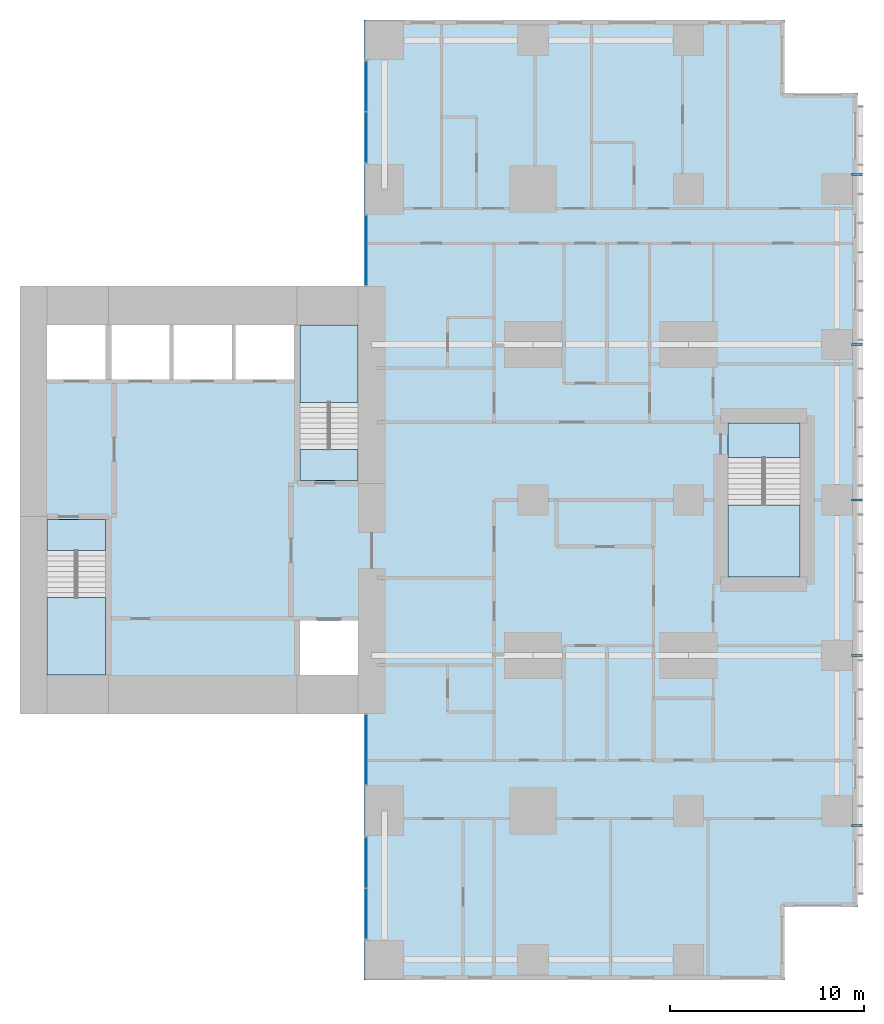
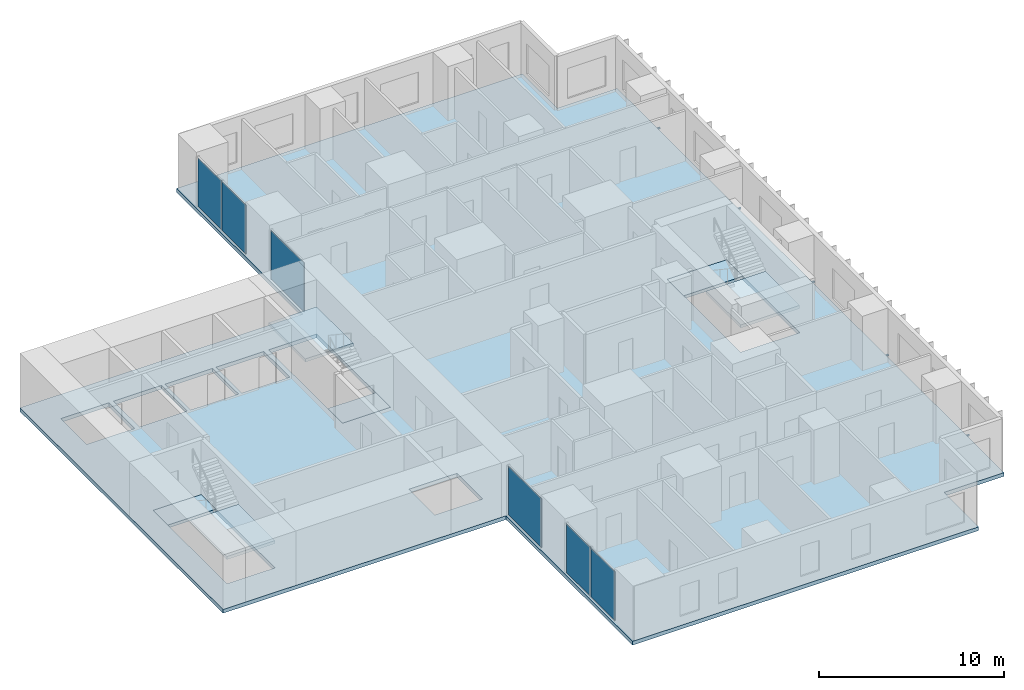
# One storey, part 4 of 12: 7 slabs, 6 plates, 5 members, 7 elements without a shape of their own.
"""IFC4 building model written with IfcOpenShell, lengths in metres."""

from ifc_helpers import new_model, si_unit, direction, frame, origin, origin_2d, place, context, subcontext, project, spatial, polyline, rectangle, hollow_rectangle, outline, extrude, material, layer, layer_set, material_profile, profile_set, type_object, element, aggregate, save


model = new_model("IFC4")

# Units and contexts
model_context = context("Model", 3, precision=1e-05, world=origin(), true_north=direction((0.0, 1.0)))
body_context = subcontext(model_context, "Body", "Model", "MODEL_VIEW")
ifc_project = project(units=[si_unit("LENGTHUNIT", "METRE"), si_unit("AREAUNIT", "SQUARE_METRE"), si_unit("VOLUMEUNIT", "CUBIC_METRE"), si_unit("PLANEANGLEUNIT", "RADIAN"), si_unit("MASSUNIT", "GRAM", prefix="KILO")], contexts=[model_context])

# Site, building, storey
site_placement = place(None, origin())
site = spatial("IfcSite", under=ifc_project, at=site_placement, CompositionType="ELEMENT")
building_placement = place(site_placement, origin())
building = spatial("IfcBuilding", under=site, at=building_placement, Name="Cleftline Residences", CompositionType="ELEMENT")
storey_placement = place(building_placement, frame((0.0, 0.0, 266.39990234375)))
storey = spatial("IfcBuildingStorey", under=building, at=storey_placement, Name="L70", CompositionType="ELEMENT", Elevation=266.39990234375)

# Members
ifc_material_1 = material(Name="Steel S355, hot-dip galvanised", Category="steel")
ifc_material_profile = material_profile(ifc_material_1, hollow_rectangle(XDim=0.10009765625, YDim=0.10009765625, WallThickness=0.008056640625, InnerFilletRadius=0.008056640625, OuterFilletRadius=0.011962890625, at=origin_2d()))
ifc_profile_set = profile_set([ifc_material_profile], Name="Steel S355, hot-dip galvanised")
member_type = type_object("IfcMemberType", Name="BAGUETTE BRACKET SHS 100X100X8", PredefinedType="USERDEFINED", material=ifc_profile_set)
for number, where, z_axis, x_axis, name in (
    (1, (66.39990234375, 7.25, -0.14990234375), (1.0, 0.0, 0.0), (0.0, 1.0, 0.0), "Baguette bracket"),
    (2, (66.39990234375, 16.0, -0.14990234375), (1.0, 0.0, 0.0), (0.0, 1.0, 0.0), "Baguette bracket"),
    (3, (66.39990234375, 24.0, -0.14990234375), (1.0, 0.0, 0.0), (0.0, 1.0, 0.0), "Baguette bracket"),
    (4, (66.39990234375, 32.0, -0.14990234375), (1.0, 0.0, 0.0), (0.0, 1.0, 0.0), "Baguette bracket"),
    (5, (66.39990234375, 40.75, -0.14990234375), (1.0, 0.0, 0.0), (0.0, 1.0, 0.0), "Baguette bracket"),
):
    element("IfcMember", number, at=place(storey_placement, frame(where, z_axis=z_axis, x_axis=x_axis)), inside=storey, type_object=member_type, Name=name, ObjectType="BAGUETTE BRACKET", PredefinedType="USERDEFINED", context=body_context, shape_type="SweptSolid", body=[
        extrude(hollow_rectangle(XDim=0.10009765625, YDim=0.10009765625, WallThickness=0.008056640625, InnerFilletRadius=0.008056640625, OuterFilletRadius=0.011962890625, at=origin_2d()), origin(), (0.0, 0.0, 1.0), 0.550048828125),
    ])

# Curtain wall, plate
ifc_material_2 = material(Name="Aluminium framed curtain wall", Category="aluminium")
ifc_layer_1 = layer(ifc_material_2, 0.199951171875)
ifc_layer_set_1 = layer_set([ifc_layer_1], Name="CW1 CLEFT GLAZING")
curtain_wall_type = type_object("IfcCurtainWallType", Name="CW1 CLEFT GLAZING", PredefinedType="NOTDEFINED", material=ifc_layer_set_1)
curtain_wall_1_placement = place(storey_placement, origin())
curtain_wall_1 = element("IfcCurtainWall", 6, at=curtain_wall_1_placement, inside=storey, type_object=curtain_wall_type, Name="Curtain wall CW1", PredefinedType="NOTDEFINED")
ifc_material_3 = material(Name="Laminated clear glass", Category="glass")
ifc_layer_2 = layer(ifc_material_3, 0.028076171875)
ifc_layer_set_2 = layer_set([ifc_layer_2], Name="CW1 GLASS PANEL")
plate_type = type_object("IfcPlateType", Name="CW1 GLASS PANEL", PredefinedType="CURTAIN_PANEL", material=ifc_layer_set_2)
plate_1_placement = place(storey_placement, frame((41.425048828125, 11.14990234375, 0.06005859375), z_axis=(0.0, 0.0, 1.0), x_axis=(0.0, -1.0, 0.0)))
plate_1 = element("IfcPlate", 7, at=plate_1_placement, type_object=plate_type, Name="CW1 panel 1.1", PredefinedType="CURTAIN_PANEL", context=body_context, shape_type="SweptSolid", body=[
    extrude(rectangle(XDim=3.580078125, YDim=0.028076171875, at=origin_2d()), origin(), (0.0, 0.0, 1.0), 3.22998046875),
])
aggregate(curtain_wall_1, [plate_1])

# Curtain wall, plates
curtain_wall_2_placement = place(storey_placement, origin())
curtain_wall_2 = element("IfcCurtainWall", 8, at=curtain_wall_2_placement, inside=storey, type_object=curtain_wall_type, Name="Curtain wall CW1", PredefinedType="NOTDEFINED")
plate_2_placement = place(storey_placement, frame((41.425048828125, 5.347412109375, 0.06005859375), z_axis=(0.0, 0.0, 1.0), x_axis=(0.0, -1.0, 0.0)))
plate_2 = element("IfcPlate", 9, at=plate_2_placement, type_object=plate_type, Name="CW1 panel 1.1", PredefinedType="CURTAIN_PANEL", context=body_context, shape_type="SweptSolid", body=[
    extrude(rectangle(XDim=2.5849609375, YDim=0.028076171875, at=origin_2d()), origin(), (0.0, 0.0, 1.0), 3.22998046875),
])
plate_3_placement = place(storey_placement, frame((41.425048828125, 2.702392578125, 0.06005859375), z_axis=(0.0, 0.0, 1.0), x_axis=(0.0, -1.0, 0.0)))
plate_3 = element("IfcPlate", 10, at=plate_3_placement, type_object=plate_type, Name="CW1 panel 2.1", PredefinedType="CURTAIN_PANEL", context=body_context, shape_type="SweptSolid", body=[
    extrude(rectangle(XDim=2.5849609375, YDim=0.028076171875, at=origin_2d()), origin(), (0.0, 0.0, 1.0), 3.22998046875),
])
aggregate(curtain_wall_2, [plate_2, plate_3])

curtain_wall_3_placement = place(storey_placement, origin())
curtain_wall_3 = element("IfcCurtainWall", 11, at=curtain_wall_3_placement, inside=storey, type_object=curtain_wall_type, Name="Curtain wall CW1", PredefinedType="NOTDEFINED")
plate_4_placement = place(storey_placement, frame((41.425048828125, 45.297607421875, 0.06005859375), z_axis=(0.0, 0.0, 1.0), x_axis=(0.0, -1.0, 0.0)))
plate_4 = element("IfcPlate", 12, at=plate_4_placement, type_object=plate_type, Name="CW1 panel 1.1", PredefinedType="CURTAIN_PANEL", context=body_context, shape_type="SweptSolid", body=[
    extrude(rectangle(XDim=2.5849609375, YDim=0.028076171875, at=origin_2d()), origin(), (0.0, 0.0, 1.0), 3.22998046875),
])
plate_5_placement = place(storey_placement, frame((41.425048828125, 42.652587890625, 0.06005859375), z_axis=(0.0, 0.0, 1.0), x_axis=(0.0, -1.0, 0.0)))
plate_5 = element("IfcPlate", 13, at=plate_5_placement, type_object=plate_type, Name="CW1 panel 2.1", PredefinedType="CURTAIN_PANEL", context=body_context, shape_type="SweptSolid", body=[
    extrude(rectangle(XDim=2.5849609375, YDim=0.028076171875, at=origin_2d()), origin(), (0.0, 0.0, 1.0), 3.22998046875),
])
aggregate(curtain_wall_3, [plate_4, plate_5])

# Curtain wall, plate
curtain_wall_4_placement = place(storey_placement, origin())
curtain_wall_4 = element("IfcCurtainWall", 14, at=curtain_wall_4_placement, inside=storey, type_object=curtain_wall_type, Name="Curtain wall CW1", PredefinedType="NOTDEFINED")
plate_6_placement = place(storey_placement, frame((41.425048828125, 36.85009765625, 0.06005859375), z_axis=(0.0, 0.0, 1.0), x_axis=(0.0, -1.0, 0.0)))
plate_6 = element("IfcPlate", 15, at=plate_6_placement, type_object=plate_type, Name="CW1 panel 1.1", PredefinedType="CURTAIN_PANEL", context=body_context, shape_type="SweptSolid", body=[
    extrude(rectangle(XDim=3.580078125, YDim=0.028076171875, at=origin_2d()), origin(), (0.0, 0.0, 1.0), 3.22998046875),
])
aggregate(curtain_wall_4, [plate_6])

# Slab
ifc_material_4 = material(Name="Concrete B45", Category="concrete")
ifc_layer_3 = layer(ifc_material_4, 0.25)
ifc_layer_set_3 = layer_set([ifc_layer_3], Name="FLOOR SLAB 250")
slab_type_1 = type_object("IfcSlabType", Name="FLOOR SLAB 250", PredefinedType="FLOOR", material=ifc_layer_set_3)
slab_1_placement = place(storey_placement, frame((0.0, 0.0, -0.25)))
element("IfcSlab", 16, at=slab_1_placement, inside=storey, type_object=slab_type_1, Name="Floor slab L70", PredefinedType="FLOOR", context=body_context, shape_type="SweptSolid", body=[
    extrude(outline(polyline([(41.300048828125, 13.0), (41.300048828125, -0.699951171875), (62.949951171875, -0.699951171875), (62.949951171875, 3.050048828125), (66.699951171875, 3.050048828125), (66.699951171875, 44.949951171875), (62.949951171875, 44.949951171875), (62.949951171875, 48.699951171875), (41.300048828125, 48.699951171875), (41.300048828125, 35.0), (23.60009765625, 35.0), (23.60009765625, 13.0), (41.300048828125, 13.0)]), holes=[polyline([(28.0, 15.0), (28.0, 23.0), (25.0, 23.0), (25.0, 15.0), (28.0, 15.0)]), polyline([(41.0, 25.0), (41.0, 33.0), (38.0, 33.0), (38.0, 25.0), (41.0, 25.0)]), polyline([(28.0, 30.199951171875), (28.0, 33.0), (25.0, 33.0), (25.0, 30.199951171875), (28.0, 30.199951171875)]), polyline([(41.0, 15.0), (41.0, 17.800048828125), (38.0, 17.800048828125), (38.0, 15.0), (41.0, 15.0)]), polyline([(31.300048828125, 30.199951171875), (31.300048828125, 33.0), (28.300048828125, 33.0), (28.300048828125, 30.199951171875), (31.300048828125, 30.199951171875)]), polyline([(34.5, 30.199951171875), (34.5, 33.0), (31.5, 33.0), (31.5, 30.199951171875), (34.5, 30.199951171875)]), polyline([(37.699951171875, 30.199951171875), (37.699951171875, 33.0), (34.699951171875, 33.0), (34.699951171875, 30.199951171875), (37.699951171875, 30.199951171875)]), polyline([(63.72509765625, 20.02490234375), (63.72509765625, 27.97509765625), (60.02490234375, 27.97509765625), (60.02490234375, 20.02490234375), (63.72509765625, 20.02490234375)])]), origin(), (0.0, 0.0, 1.0), 0.25),
])

# Stair, slabs
ifc_material_5 = material(Name="Concrete B45, stone treads", Category="masonry")
stair_type_1 = type_object("IfcStairType", Name="STAIR A 1450 WIDE 180 RISER", PredefinedType="HALF_TURN_STAIR", material=ifc_material_5)
stair_1_placement = place(storey_placement, origin())
stair_1 = element("IfcStair", 17, at=stair_1_placement, inside=storey, type_object=stair_type_1, Name="Stair A L70", PredefinedType="HALF_TURN_STAIR")
ifc_material_6 = material(Name="Concrete B45", Category="concrete")
ifc_layer_4 = layer(ifc_material_6, 0.199951171875)
ifc_layer_set_4 = layer_set([ifc_layer_4], Name="STAIR LANDING 200")
slab_type_2 = type_object("IfcSlabType", Name="STAIR LANDING 200", PredefinedType="LANDING", material=ifc_layer_set_4)
slab_2_placement = place(storey_placement, frame((0.0, 0.0, -0.199951171875)))
slab_2 = element("IfcSlab", 18, at=slab_2_placement, type_object=slab_type_2, Name="ST-A landing 1", PredefinedType="LANDING", context=body_context, shape_type="SweptSolid", body=[
    extrude(outline(polyline([(25.0, 21.39990234375), (28.0, 21.39990234375), (28.0, 23.0), (25.0, 23.0), (25.0, 21.39990234375)])), origin(), (0.0, 0.0, 1.0), 0.199951171875),
])
slab_3_placement = place(storey_placement, frame((0.0, 0.0, 1.60009765625)))
slab_3 = element("IfcSlab", 19, at=slab_3_placement, type_object=slab_type_2, Name="ST-A landing 2", PredefinedType="LANDING", context=body_context, shape_type="SweptSolid", body=[
    extrude(outline(polyline([(25.0, 15.0), (28.0, 15.0), (28.0, 18.969970703125), (25.0, 18.969970703125), (25.0, 15.0)])), origin(), (0.0, 0.0, 1.0), 0.199951171875),
])
aggregate(stair_1, [slab_2, slab_3])

ifc_material_7 = material(Name="Concrete B45, stone treads", Category="masonry")
stair_type_2 = type_object("IfcStairType", Name="STAIR B 1450 WIDE 180 RISER", PredefinedType="HALF_TURN_STAIR", material=ifc_material_7)
stair_2_placement = place(storey_placement, origin())
stair_2 = element("IfcStair", 20, at=stair_2_placement, inside=storey, type_object=stair_type_2, Name="Stair B L70", PredefinedType="HALF_TURN_STAIR")
slab_4_placement = place(storey_placement, frame((0.0, 0.0, -0.199951171875)))
slab_4 = element("IfcSlab", 21, at=slab_4_placement, type_object=slab_type_2, Name="ST-B landing 1", PredefinedType="LANDING", context=body_context, shape_type="SweptSolid", body=[
    extrude(outline(polyline([(38.0, 25.0), (41.0, 25.0), (41.0, 26.60009765625), (38.0, 26.60009765625), (38.0, 25.0)])), origin(), (0.0, 0.0, 1.0), 0.199951171875),
])
slab_5_placement = place(storey_placement, frame((0.0, 0.0, 1.60009765625)))
slab_5 = element("IfcSlab", 22, at=slab_5_placement, type_object=slab_type_2, Name="ST-B landing 2", PredefinedType="LANDING", context=body_context, shape_type="SweptSolid", body=[
    extrude(outline(polyline([(38.0, 29.030029296875), (41.0, 29.030029296875), (41.0, 33.0), (38.0, 33.0), (38.0, 29.030029296875)])), origin(), (0.0, 0.0, 1.0), 0.199951171875),
])
aggregate(stair_2, [slab_4, slab_5])

ifc_material_8 = material(Name="Concrete B45, stone treads", Category="masonry")
stair_type_3 = type_object("IfcStairType", Name="STAIR E 1800 WIDE 180 RISER", PredefinedType="HALF_TURN_STAIR", material=ifc_material_8)
stair_3_placement = place(storey_placement, origin())
stair_3 = element("IfcStair", 23, at=stair_3_placement, inside=storey, type_object=stair_type_3, Name="Stair E L70", PredefinedType="HALF_TURN_STAIR")
slab_6_placement = place(storey_placement, frame((0.0, 0.0, -0.199951171875)))
slab_6 = element("IfcSlab", 24, at=slab_6_placement, type_object=slab_type_2, Name="ST-E landing 1", PredefinedType="LANDING", context=body_context, shape_type="SweptSolid", body=[
    extrude(outline(polyline([(60.02490234375, 26.175048828125), (63.72509765625, 26.175048828125), (63.72509765625, 27.97509765625), (60.02490234375, 27.97509765625), (60.02490234375, 26.175048828125)])), origin(), (0.0, 0.0, 1.0), 0.199951171875),
])
slab_7_placement = place(storey_placement, frame((0.0, 0.0, 1.60009765625)))
slab_7 = element("IfcSlab", 25, at=slab_7_placement, type_object=slab_type_2, Name="ST-E landing 2", PredefinedType="LANDING", context=body_context, shape_type="SweptSolid", body=[
    extrude(outline(polyline([(60.02490234375, 20.02490234375), (63.72509765625, 20.02490234375), (63.72509765625, 23.7451171875), (60.02490234375, 23.7451171875), (60.02490234375, 20.02490234375)])), origin(), (0.0, 0.0, 1.0), 0.199951171875),
])
aggregate(stair_3, [slab_6, slab_7])

save(model, "model.ifc")
